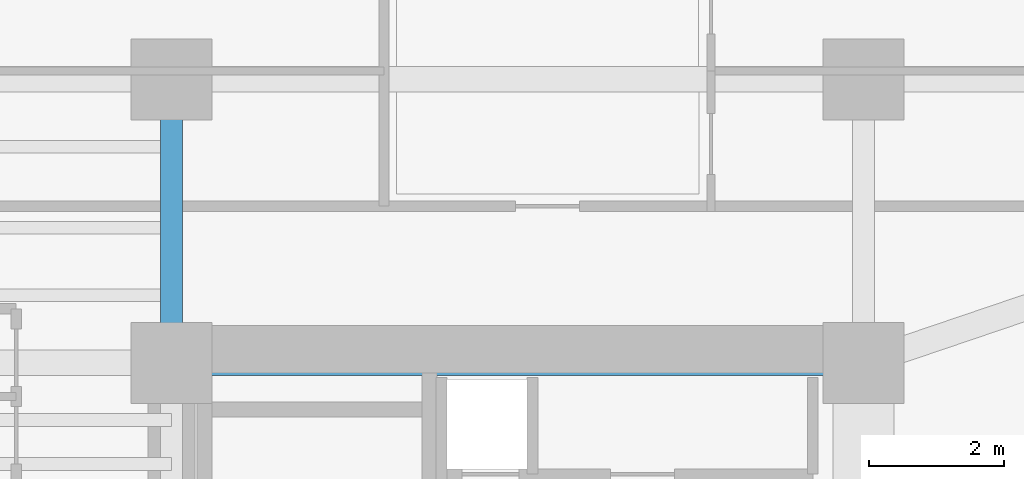
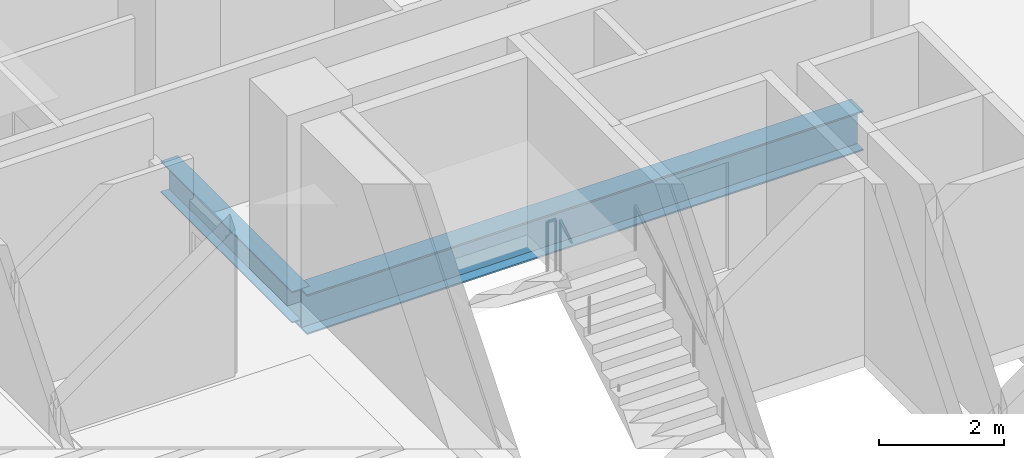
# One storey, part 10 of 37: 2 beams.
"""IFC4 building model written with IfcOpenShell, lengths in metres."""

from ifc_helpers import new_model, si_unit, direction, frame, origin, origin_2d, place, context, subcontext, project, spatial, i_section, extrude, source, transform, mapped, material, material_profile, profile_set, type_object, element, save


model = new_model("IFC4")

# Units and contexts
model_context = context("Model", 3, precision=1e-05, world=origin(), true_north=direction((0.0, 1.0)))
body_context = subcontext(model_context, "Body", "Model", "MODEL_VIEW")
ifc_project = project(units=[si_unit("LENGTHUNIT", "METRE"), si_unit("AREAUNIT", "SQUARE_METRE"), si_unit("VOLUMEUNIT", "CUBIC_METRE"), si_unit("PLANEANGLEUNIT", "RADIAN"), si_unit("MASSUNIT", "GRAM", prefix="KILO")], contexts=[model_context])

# Site, building, storey
site_placement = place(None, origin())
site = spatial("IfcSite", under=ifc_project, at=site_placement, CompositionType="ELEMENT")
building_placement = place(site_placement, origin())
building = spatial("IfcBuilding", under=site, at=building_placement, Name="Valdorenza Pilgrim Sanctuary Tower", CompositionType="ELEMENT")
storey_placement = place(building_placement, frame((0.0, 0.0, 127.89990234375)))
storey = spatial("IfcBuildingStorey", under=building, at=storey_placement, Name="L32", CompositionType="ELEMENT", Elevation=127.89990234375)

# Beams
ifc_material = material(Name="Steel ASTM A992 Grade 50", Category="steel")
ifc_material_profile_1 = material_profile(ifc_material, i_section(OverallWidth=0.323974609375, OverallDepth=0.611083984375, WebThickness=0.0126953125, FlangeThickness=0.01904296875, at=origin_2d()), Name="W24X104")
ifc_profile_set_1 = profile_set([ifc_material_profile_1], Name="Steel ASTM A992 Grade 50")
beam_type_1 = type_object("IfcBeamType", Name="STR-BM-GRD-W24B", PredefinedType="BEAM", material=ifc_profile_set_1)
shared_shape_1 = source(origin(), body_context, "Body", "SweptSolid", [
    extrude(i_section(OverallWidth=0.323974609375, OverallDepth=0.611083984375, WebThickness=0.0126953125, FlangeThickness=0.01904296875, at=origin_2d()), origin(), (0.0, 0.0, 1.0), 4.199951171875),
])
beam_1_placement = place(storey_placement, frame((-22.64990234375, 10.60009765625, -0.54541015625), z_axis=(0.0, 1.0, 0.0), x_axis=(-1.0, 0.0, 0.0)))
element("IfcBeam", 1, at=beam_1_placement, inside=storey, type_object=beam_type_1, Name="L32 Core Tie Girder CA-W-N1N2", PredefinedType="BEAM", context=body_context, shape_type="MappedRepresentation", body=[
    mapped(shared_shape_1, transform((0.0, 0.0, 0.0), x_axis=(1.0, 0.0, 0.0), y_axis=(0.0, 1.0, 0.0), z_axis=(0.0, 0.0, 1.0), scale=1.0)),
])
ifc_material_profile_2 = material_profile(ifc_material, i_section(OverallWidth=0.382080078125, OverallDepth=0.779052734375, WebThickness=0.01806640625, FlangeThickness=0.030029296875, at=origin_2d()), Name="W30X191")
ifc_profile_set_2 = profile_set([ifc_material_profile_2], Name="Steel ASTM A992 Grade 50")
beam_type_2 = type_object("IfcBeamType", Name="STR-BM-GRD-W30", PredefinedType="BEAM", material=ifc_profile_set_2)
shared_shape_2 = source(origin(), body_context, "Body", "SweptSolid", [
    extrude(i_section(OverallWidth=0.382080078125, OverallDepth=0.779052734375, WebThickness=0.01806640625, FlangeThickness=0.030029296875, at=origin_2d()), origin(), (0.0, 0.0, 1.0), 10.25),
])
beam_2_placement = place(storey_placement, frame((-22.64990234375, 10.60009765625, -0.62939453125), z_axis=(1.0, 0.0, 0.0), x_axis=(0.0, 1.0, 0.0)))
element("IfcBeam", 2, at=beam_2_placement, inside=storey, type_object=beam_type_2, Name="L32 Floor Girder CA-XC-N1", PredefinedType="BEAM", context=body_context, shape_type="MappedRepresentation", body=[
    mapped(shared_shape_2, transform((0.0, 0.0, 0.0), x_axis=(1.0, 0.0, 0.0), y_axis=(0.0, 1.0, 0.0), z_axis=(0.0, 0.0, 1.0), scale=1.0)),
])

save(model, "model.ifc")
